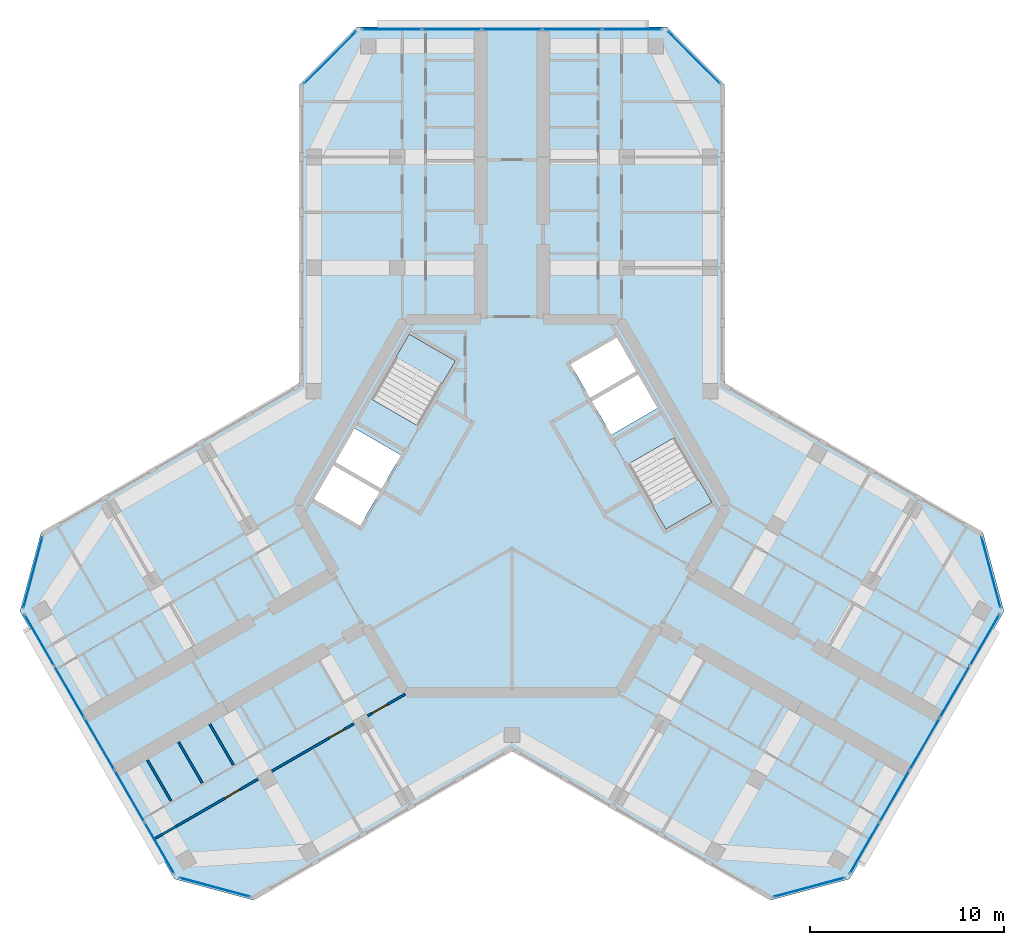
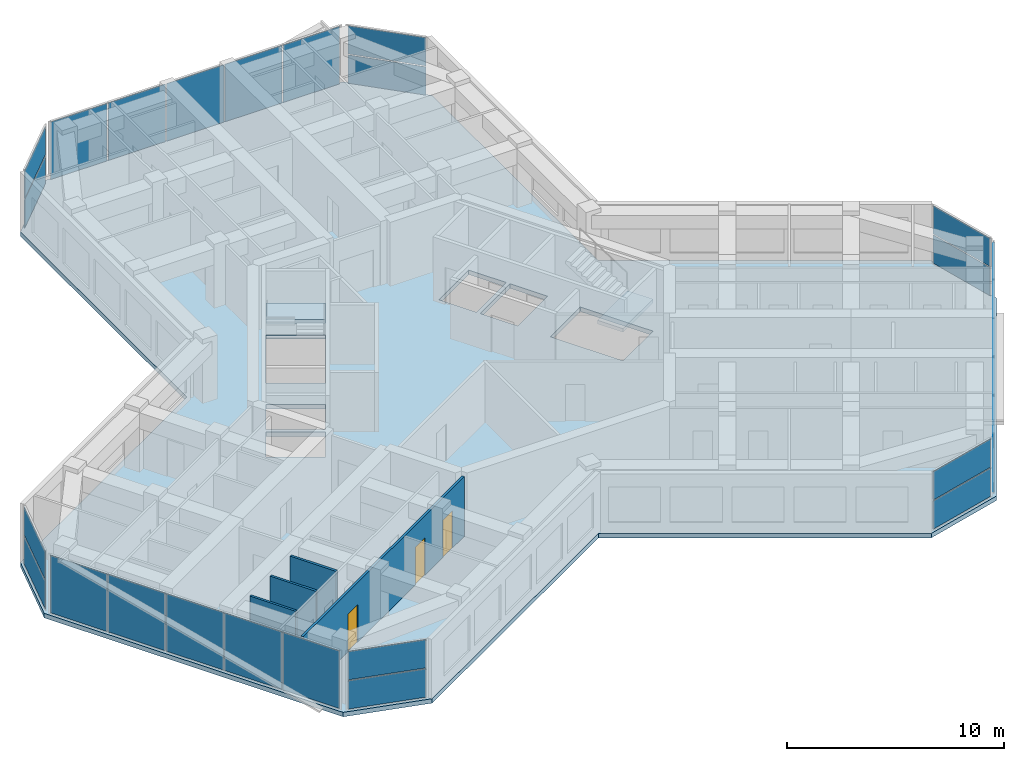
# One storey, part 6 of 14: 27 plates, 4 walls, 3 doors, 3 slabs, 3 openings, 11 elements without a shape of their own.
"""IFC4 building model written with IfcOpenShell, lengths in metres."""

from ifc_helpers import new_model, si_unit, direction, frame, frame_2d, origin, origin_2d, place, context, subcontext, project, spatial, polyline, rectangle, outline, extrude, material, layer, layer_set, type_object, element, fill, aggregate, save


model = new_model("IFC4")

# Units and contexts
model_context = context("Model", 3, precision=1e-05, world=origin(), true_north=direction((0.0, 1.0)))
body_context = subcontext(model_context, "Body", "Model", "MODEL_VIEW")
ifc_project = project(units=[si_unit("LENGTHUNIT", "METRE"), si_unit("AREAUNIT", "SQUARE_METRE"), si_unit("VOLUMEUNIT", "CUBIC_METRE"), si_unit("PLANEANGLEUNIT", "RADIAN"), si_unit("MASSUNIT", "GRAM", prefix="KILO")], contexts=[model_context])

# Site, building, storey
site_placement = place(None, origin())
site = spatial("IfcSite", under=ifc_project, at=site_placement, CompositionType="ELEMENT")
building_placement = place(site_placement, origin())
building = spatial("IfcBuilding", under=site, at=building_placement, Name="Kosmar Iwan School Tower", CompositionType="ELEMENT")
storey_placement = place(building_placement, frame((0.0, 0.0, 281.800048828125)))
storey = spatial("IfcBuildingStorey", under=building, at=storey_placement, Name="L71", CompositionType="ELEMENT", Elevation=281.800048828125)

# Curtain wall, plates
ifc_material_1 = material(Name="Dark glass in black aluminium frame", Category="aluminium")
curtain_wall_type_1 = type_object("IfcCurtainWallType", Name="Chamfer curtain wall dark glass", PredefinedType="USERDEFINED", material=ifc_material_1)
curtain_wall_1_placement = place(storey_placement, origin())
curtain_wall_1 = element("IfcCurtainWall", 1, at=curtain_wall_1_placement, inside=storey, type_object=curtain_wall_type_1, Name="Curtain wall L71-F02", ObjectType="FACETED CURTAIN WALL", PredefinedType="USERDEFINED")
ifc_material_2 = material(Name="Dark glass", Category="glass")
ifc_layer_1 = layer(ifc_material_2, 0.028076171875)
ifc_layer_set_1 = layer_set([ifc_layer_1], Name="Dark glass panel 28")
plate_type = type_object("IfcPlateType", Name="Dark glass panel 28", PredefinedType="CURTAIN_PANEL", material=ifc_layer_set_1)
plate_1_placement = place(storey_placement, frame((15.291015625, -19.63818359375, 0.06005859375), z_axis=(0.0, 0.0, 1.0), x_axis=(0.965925875495, 0.258818861462, 0.0)))
plate_1 = element("IfcPlate", 2, at=plate_1_placement, type_object=plate_type, Name="CW2 panel 1.1", PredefinedType="CURTAIN_PANEL", context=body_context, shape_type="SweptSolid", body=[
    extrude(rectangle(XDim=3.718994140625, YDim=0.028076171875, at=origin_2d()), origin(), (0.0, 0.0, 1.0), 1.5849609375),
])
plate_2_placement = place(storey_placement, frame((15.291015625, -19.63818359375, 1.705078125), z_axis=(0.0, 0.0, 1.0), x_axis=(0.965925875495, 0.258818861462, 0.0)))
plate_2 = element("IfcPlate", 3, at=plate_2_placement, type_object=plate_type, Name="CW2 panel 1.2", PredefinedType="CURTAIN_PANEL", context=body_context, shape_type="SweptSolid", body=[
    extrude(rectangle(XDim=3.718994140625, YDim=0.028076171875, at=origin_2d()), origin(), (0.0, 0.0, 1.0), 1.5849609375),
])
aggregate(curtain_wall_1, [plate_1, plate_2])

ifc_material_3 = material(Name="Dark glass in black aluminium frame", Category="aluminium")
curtain_wall_type_2 = type_object("IfcCurtainWallType", Name="Tower curtain wall dark glass", PredefinedType="USERDEFINED", material=ifc_material_3)
curtain_wall_2_placement = place(storey_placement, origin())
curtain_wall_2 = element("IfcCurtainWall", 4, at=curtain_wall_2_placement, inside=storey, type_object=curtain_wall_type_2, Name="Curtain wall L71-F03", ObjectType="UNITISED CURTAIN WALL", PredefinedType="USERDEFINED")
plate_3_placement = place(storey_placement, frame((18.1474609375, -17.61767578125, 0.06005859375), z_axis=(0.0, 0.0, 1.0), x_axis=(0.499999997325, 0.866025405329, 0.0)))
plate_3 = element("IfcPlate", 5, at=plate_3_placement, type_object=plate_type, Name="CW1 panel 1.1", PredefinedType="CURTAIN_PANEL", context=body_context, shape_type="SweptSolid", body=[
    extrude(rectangle(XDim=3.00927734375, YDim=0.028076171875, at=origin_2d()), origin(), (0.0, 0.0, 1.0), 3.22998046875),
])
plate_4_placement = place(storey_placement, frame((19.689697265625, -14.946533203125, 0.06005859375), z_axis=(0.0, 0.0, 1.0), x_axis=(0.499999997325, 0.866025405329, 0.0)))
plate_4 = element("IfcPlate", 6, at=plate_4_placement, type_object=plate_type, Name="CW1 panel 2.1", PredefinedType="CURTAIN_PANEL", context=body_context, shape_type="SweptSolid", body=[
    extrude(rectangle(XDim=3.039306640625, YDim=0.028076171875, at=origin_2d()), origin(), (0.0, 0.0, 1.0), 3.22998046875),
])
plate_5_placement = place(storey_placement, frame((21.2392578125, -12.262451171875, 0.06005859375), z_axis=(0.0, 0.0, 1.0), x_axis=(0.499999997325, 0.866025405329, 0.0)))
plate_5 = element("IfcPlate", 7, at=plate_5_placement, type_object=plate_type, Name="CW1 panel 3.1", PredefinedType="CURTAIN_PANEL", context=body_context, shape_type="SweptSolid", body=[
    extrude(rectangle(XDim=3.039306640625, YDim=0.028076171875, at=origin_2d()), origin(), (0.0, 0.0, 1.0), 3.22998046875),
])
plate_6_placement = place(storey_placement, frame((22.788818359375, -9.578369140625, 0.06005859375), z_axis=(0.0, 0.0, 1.0), x_axis=(0.499999997325, 0.866025405329, 0.0)))
plate_6 = element("IfcPlate", 8, at=plate_6_placement, type_object=plate_type, Name="CW1 panel 4.1", PredefinedType="CURTAIN_PANEL", context=body_context, shape_type="SweptSolid", body=[
    extrude(rectangle(XDim=3.039306640625, YDim=0.028076171875, at=origin_2d()), origin(), (0.0, 0.0, 1.0), 3.22998046875),
])
plate_7_placement = place(storey_placement, frame((24.3310546875, -6.907470703125, 0.06005859375), z_axis=(0.0, 0.0, 1.0), x_axis=(0.499999997325, 0.866025405329, 0.0)))
plate_7 = element("IfcPlate", 9, at=plate_7_placement, type_object=plate_type, Name="CW1 panel 5.1", PredefinedType="CURTAIN_PANEL", context=body_context, shape_type="SweptSolid", body=[
    extrude(rectangle(XDim=3.00927734375, YDim=0.028076171875, at=origin_2d()), origin(), (0.0, 0.0, 1.0), 3.22998046875),
])
aggregate(curtain_wall_2, [plate_3, plate_4, plate_5, plate_6, plate_7])

curtain_wall_3_placement = place(storey_placement, origin())
curtain_wall_3 = element("IfcCurtainWall", 10, at=curtain_wall_3_placement, inside=storey, type_object=curtain_wall_type_1, Name="Curtain wall L71-F04", ObjectType="FACETED CURTAIN WALL", PredefinedType="USERDEFINED")
plate_8_placement = place(storey_placement, frame((24.65283203125, -3.42333984375, 0.06005859375), z_axis=(0.0, 0.0, 1.0), x_axis=(-0.258818861462, 0.965925875495, 0.0)))
plate_8 = element("IfcPlate", 11, at=plate_8_placement, type_object=plate_type, Name="CW2 panel 1.1", PredefinedType="CURTAIN_PANEL", context=body_context, shape_type="SweptSolid", body=[
    extrude(rectangle(XDim=3.718994140625, YDim=0.028076171875, at=origin_2d()), origin(), (0.0, 0.0, 1.0), 1.5849609375),
])
plate_9_placement = place(storey_placement, frame((24.65283203125, -3.42333984375, 1.705078125), z_axis=(0.0, 0.0, 1.0), x_axis=(-0.258818861462, 0.965925875495, 0.0)))
plate_9 = element("IfcPlate", 12, at=plate_9_placement, type_object=plate_type, Name="CW2 panel 1.2", PredefinedType="CURTAIN_PANEL", context=body_context, shape_type="SweptSolid", body=[
    extrude(rectangle(XDim=3.718994140625, YDim=0.028076171875, at=origin_2d()), origin(), (0.0, 0.0, 1.0), 1.5849609375),
])
aggregate(curtain_wall_3, [plate_8, plate_9])

curtain_wall_4_placement = place(storey_placement, origin())
curtain_wall_4 = element("IfcCurtainWall", 13, at=curtain_wall_4_placement, inside=storey, type_object=curtain_wall_type_1, Name="Curtain wall L71-F07", ObjectType="FACETED CURTAIN WALL", PredefinedType="USERDEFINED")
plate_10_placement = place(storey_placement, frame((9.361572265625, 23.0615234375, 0.06005859375), z_axis=(0.0, 0.0, 1.0), x_axis=(-0.707106781187, 0.707106781187, 0.0)))
plate_10 = element("IfcPlate", 14, at=plate_10_placement, type_object=plate_type, Name="CW2 panel 1.1", PredefinedType="CURTAIN_PANEL", context=body_context, shape_type="SweptSolid", body=[
    extrude(rectangle(XDim=3.718994140625, YDim=0.028076171875, at=origin_2d()), origin(), (0.0, 0.0, 1.0), 1.5849609375),
])
plate_11_placement = place(storey_placement, frame((9.361572265625, 23.0615234375, 1.705078125), z_axis=(0.0, 0.0, 1.0), x_axis=(-0.707106781187, 0.707106781187, 0.0)))
plate_11 = element("IfcPlate", 15, at=plate_11_placement, type_object=plate_type, Name="CW2 panel 1.2", PredefinedType="CURTAIN_PANEL", context=body_context, shape_type="SweptSolid", body=[
    extrude(rectangle(XDim=3.718994140625, YDim=0.028076171875, at=origin_2d()), origin(), (0.0, 0.0, 1.0), 1.5849609375),
])
aggregate(curtain_wall_4, [plate_10, plate_11])

curtain_wall_5_placement = place(storey_placement, origin())
curtain_wall_5 = element("IfcCurtainWall", 16, at=curtain_wall_5_placement, inside=storey, type_object=curtain_wall_type_2, Name="Curtain wall L71-F08", ObjectType="UNITISED CURTAIN WALL", PredefinedType="USERDEFINED")
plate_12_placement = place(storey_placement, frame((6.18359375, 24.52490234375, 0.06005859375), z_axis=(0.0, 0.0, 1.0), x_axis=(-1.0, 0.0, 0.0)))
plate_12 = element("IfcPlate", 17, at=plate_12_placement, type_object=plate_type, Name="CW1 panel 1.1", PredefinedType="CURTAIN_PANEL", context=body_context, shape_type="SweptSolid", body=[
    extrude(rectangle(XDim=3.00927734375, YDim=0.028076171875, at=origin_2d()), origin(), (0.0, 0.0, 1.0), 3.22998046875),
])
plate_13_placement = place(storey_placement, frame((3.099365234375, 24.52490234375, 0.06005859375), z_axis=(0.0, 0.0, 1.0), x_axis=(-1.0, 0.0, 0.0)))
plate_13 = element("IfcPlate", 18, at=plate_13_placement, type_object=plate_type, Name="CW1 panel 2.1", PredefinedType="CURTAIN_PANEL", context=body_context, shape_type="SweptSolid", body=[
    extrude(rectangle(XDim=3.039306640625, YDim=0.028076171875, at=origin_2d()), origin(), (0.0, 0.0, 1.0), 3.22998046875),
])
plate_14_placement = place(storey_placement, frame((0.0, 24.52490234375, 0.06005859375), z_axis=(0.0, 0.0, 1.0), x_axis=(-1.0, 0.0, 0.0)))
plate_14 = element("IfcPlate", 19, at=plate_14_placement, type_object=plate_type, Name="CW1 panel 3.1", PredefinedType="CURTAIN_PANEL", context=body_context, shape_type="SweptSolid", body=[
    extrude(rectangle(XDim=3.039306640625, YDim=0.028076171875, at=origin_2d()), origin(), (0.0, 0.0, 1.0), 3.22998046875),
])
plate_15_placement = place(storey_placement, frame((-3.099365234375, 24.52490234375, 0.06005859375), z_axis=(0.0, 0.0, 1.0), x_axis=(-1.0, 0.0, 0.0)))
plate_15 = element("IfcPlate", 20, at=plate_15_placement, type_object=plate_type, Name="CW1 panel 4.1", PredefinedType="CURTAIN_PANEL", context=body_context, shape_type="SweptSolid", body=[
    extrude(rectangle(XDim=3.039306640625, YDim=0.028076171875, at=origin_2d()), origin(), (0.0, 0.0, 1.0), 3.22998046875),
])
plate_16_placement = place(storey_placement, frame((-6.18359375, 24.52490234375, 0.06005859375), z_axis=(0.0, 0.0, 1.0), x_axis=(-1.0, 0.0, 0.0)))
plate_16 = element("IfcPlate", 21, at=plate_16_placement, type_object=plate_type, Name="CW1 panel 5.1", PredefinedType="CURTAIN_PANEL", context=body_context, shape_type="SweptSolid", body=[
    extrude(rectangle(XDim=3.00927734375, YDim=0.028076171875, at=origin_2d()), origin(), (0.0, 0.0, 1.0), 3.22998046875),
])
aggregate(curtain_wall_5, [plate_12, plate_13, plate_14, plate_15, plate_16])

curtain_wall_6_placement = place(storey_placement, origin())
curtain_wall_6 = element("IfcCurtainWall", 22, at=curtain_wall_6_placement, inside=storey, type_object=curtain_wall_type_1, Name="Curtain wall L71-F09", ObjectType="FACETED CURTAIN WALL", PredefinedType="USERDEFINED")
plate_17_placement = place(storey_placement, frame((-9.361572265625, 23.0615234375, 0.06005859375), z_axis=(0.0, 0.0, 1.0), x_axis=(-0.707106781187, -0.707106781187, 0.0)))
plate_17 = element("IfcPlate", 23, at=plate_17_placement, type_object=plate_type, Name="CW2 panel 1.1", PredefinedType="CURTAIN_PANEL", context=body_context, shape_type="SweptSolid", body=[
    extrude(rectangle(XDim=3.718994140625, YDim=0.028076171875, at=origin_2d()), origin(), (0.0, 0.0, 1.0), 1.5849609375),
])
plate_18_placement = place(storey_placement, frame((-9.361572265625, 23.0615234375, 1.705078125), z_axis=(0.0, 0.0, 1.0), x_axis=(-0.707106781187, -0.707106781187, 0.0)))
plate_18 = element("IfcPlate", 24, at=plate_18_placement, type_object=plate_type, Name="CW2 panel 1.2", PredefinedType="CURTAIN_PANEL", context=body_context, shape_type="SweptSolid", body=[
    extrude(rectangle(XDim=3.718994140625, YDim=0.028076171875, at=origin_2d()), origin(), (0.0, 0.0, 1.0), 1.5849609375),
])
aggregate(curtain_wall_6, [plate_17, plate_18])

curtain_wall_7_placement = place(storey_placement, origin())
curtain_wall_7 = element("IfcCurtainWall", 25, at=curtain_wall_7_placement, inside=storey, type_object=curtain_wall_type_1, Name="Curtain wall L71-F12", ObjectType="FACETED CURTAIN WALL", PredefinedType="USERDEFINED")
plate_19_placement = place(storey_placement, frame((-24.65283203125, -3.42333984375, 0.06005859375), z_axis=(0.0, 0.0, 1.0), x_axis=(-0.258818861462, -0.965925875495, 0.0)))
plate_19 = element("IfcPlate", 26, at=plate_19_placement, type_object=plate_type, Name="CW2 panel 1.1", PredefinedType="CURTAIN_PANEL", context=body_context, shape_type="SweptSolid", body=[
    extrude(rectangle(XDim=3.718994140625, YDim=0.028076171875, at=origin_2d()), origin(), (0.0, 0.0, 1.0), 1.5849609375),
])
plate_20_placement = place(storey_placement, frame((-24.65283203125, -3.42333984375, 1.705078125), z_axis=(0.0, 0.0, 1.0), x_axis=(-0.258818861462, -0.965925875495, 0.0)))
plate_20 = element("IfcPlate", 27, at=plate_20_placement, type_object=plate_type, Name="CW2 panel 1.2", PredefinedType="CURTAIN_PANEL", context=body_context, shape_type="SweptSolid", body=[
    extrude(rectangle(XDim=3.718994140625, YDim=0.028076171875, at=origin_2d()), origin(), (0.0, 0.0, 1.0), 1.5849609375),
])
aggregate(curtain_wall_7, [plate_19, plate_20])

curtain_wall_8_placement = place(storey_placement, origin())
curtain_wall_8 = element("IfcCurtainWall", 28, at=curtain_wall_8_placement, inside=storey, type_object=curtain_wall_type_2, Name="Curtain wall L71-F13", ObjectType="UNITISED CURTAIN WALL", PredefinedType="USERDEFINED")
plate_21_placement = place(storey_placement, frame((-24.3310546875, -6.907470703125, 0.06005859375), z_axis=(0.0, 0.0, 1.0), x_axis=(0.499999997325, -0.866025405329, 0.0)))
plate_21 = element("IfcPlate", 29, at=plate_21_placement, type_object=plate_type, Name="CW1 panel 1.1", PredefinedType="CURTAIN_PANEL", context=body_context, shape_type="SweptSolid", body=[
    extrude(rectangle(XDim=3.00927734375, YDim=0.028076171875, at=origin_2d()), origin(), (0.0, 0.0, 1.0), 3.22998046875),
])
plate_22_placement = place(storey_placement, frame((-22.788818359375, -9.578369140625, 0.06005859375), z_axis=(0.0, 0.0, 1.0), x_axis=(0.499999997325, -0.866025405329, 0.0)))
plate_22 = element("IfcPlate", 30, at=plate_22_placement, type_object=plate_type, Name="CW1 panel 2.1", PredefinedType="CURTAIN_PANEL", context=body_context, shape_type="SweptSolid", body=[
    extrude(rectangle(XDim=3.039306640625, YDim=0.028076171875, at=origin_2d()), origin(), (0.0, 0.0, 1.0), 3.22998046875),
])
plate_23_placement = place(storey_placement, frame((-21.2392578125, -12.262451171875, 0.06005859375), z_axis=(0.0, 0.0, 1.0), x_axis=(0.499999997325, -0.866025405329, 0.0)))
plate_23 = element("IfcPlate", 31, at=plate_23_placement, type_object=plate_type, Name="CW1 panel 3.1", PredefinedType="CURTAIN_PANEL", context=body_context, shape_type="SweptSolid", body=[
    extrude(rectangle(XDim=3.039306640625, YDim=0.028076171875, at=origin_2d()), origin(), (0.0, 0.0, 1.0), 3.22998046875),
])
plate_24_placement = place(storey_placement, frame((-19.689697265625, -14.946533203125, 0.06005859375), z_axis=(0.0, 0.0, 1.0), x_axis=(0.499999997325, -0.866025405329, 0.0)))
plate_24 = element("IfcPlate", 32, at=plate_24_placement, type_object=plate_type, Name="CW1 panel 4.1", PredefinedType="CURTAIN_PANEL", context=body_context, shape_type="SweptSolid", body=[
    extrude(rectangle(XDim=3.039306640625, YDim=0.028076171875, at=origin_2d()), origin(), (0.0, 0.0, 1.0), 3.22998046875),
])
plate_25_placement = place(storey_placement, frame((-18.1474609375, -17.61767578125, 0.06005859375), z_axis=(0.0, 0.0, 1.0), x_axis=(0.499999997325, -0.866025405329, 0.0)))
plate_25 = element("IfcPlate", 33, at=plate_25_placement, type_object=plate_type, Name="CW1 panel 5.1", PredefinedType="CURTAIN_PANEL", context=body_context, shape_type="SweptSolid", body=[
    extrude(rectangle(XDim=3.00927734375, YDim=0.028076171875, at=origin_2d()), origin(), (0.0, 0.0, 1.0), 3.22998046875),
])
aggregate(curtain_wall_8, [plate_21, plate_22, plate_23, plate_24, plate_25])

curtain_wall_9_placement = place(storey_placement, origin())
curtain_wall_9 = element("IfcCurtainWall", 34, at=curtain_wall_9_placement, inside=storey, type_object=curtain_wall_type_1, Name="Curtain wall L71-F14", ObjectType="FACETED CURTAIN WALL", PredefinedType="USERDEFINED")
plate_26_placement = place(storey_placement, frame((-15.291015625, -19.63818359375, 0.06005859375), z_axis=(0.0, 0.0, 1.0), x_axis=(0.965925875495, -0.258818861462, 0.0)))
plate_26 = element("IfcPlate", 35, at=plate_26_placement, type_object=plate_type, Name="CW2 panel 1.1", PredefinedType="CURTAIN_PANEL", context=body_context, shape_type="SweptSolid", body=[
    extrude(rectangle(XDim=3.718994140625, YDim=0.028076171875, at=origin_2d()), origin(), (0.0, 0.0, 1.0), 1.5849609375),
])
plate_27_placement = place(storey_placement, frame((-15.291015625, -19.63818359375, 1.705078125), z_axis=(0.0, 0.0, 1.0), x_axis=(0.965925875495, -0.258818861462, 0.0)))
plate_27 = element("IfcPlate", 36, at=plate_27_placement, type_object=plate_type, Name="CW2 panel 1.2", PredefinedType="CURTAIN_PANEL", context=body_context, shape_type="SweptSolid", body=[
    extrude(rectangle(XDim=3.718994140625, YDim=0.028076171875, at=origin_2d()), origin(), (0.0, 0.0, 1.0), 1.5849609375),
])
aggregate(curtain_wall_9, [plate_26, plate_27])

# Slab
ifc_material_4 = material(Name="Concrete C35/45", Category="concrete")
ifc_layer_2 = layer(ifc_material_4, 0.25)
ifc_layer_set_2 = layer_set([ifc_layer_2], Name="Floor slab 250")
slab_type_1 = type_object("IfcSlabType", Name="Floor slab 250", PredefinedType="FLOOR", material=ifc_layer_set_2)
slab_1_placement = place(storey_placement, frame((0.0, 0.0, -0.25)))
element("IfcSlab", 37, at=slab_1_placement, inside=storey, type_object=slab_type_1, Name="L71 floor slab", PredefinedType="FLOOR", context=body_context, shape_type="SweptSolid", body=[
    extrude(outline(polyline([(-13.2744140625, -20.307861328125), (0.0, -12.64404296875), (13.2744140625, -20.307861328125), (17.37255859375, -19.2099609375), (25.322509765625, -5.440185546875), (24.224365234375, -1.342041015625), (10.949951171875, 6.322021484375), (10.949951171875, 21.64990234375), (7.949951171875, 24.64990234375), (-7.949951171875, 24.64990234375), (-10.949951171875, 21.64990234375), (-10.949951171875, 6.322021484375), (-24.224365234375, -1.342041015625), (-25.322509765625, -5.440185546875), (-17.37255859375, -19.2099609375), (-13.2744140625, -20.307861328125)]), holes=[polyline([(7.91259765625, -1.205078125), (10.294189453125, 0.169921875), (8.3642578125, 3.5126953125), (5.982666015625, 2.1376953125), (7.91259765625, -1.205078125)]), polyline([(-2.91259765625, 7.455078125), (-5.294189453125, 8.830078125), (-7.22412109375, 5.4873046875), (-4.8427734375, 4.1123046875), (-2.91259765625, 7.455078125)]), polyline([(-5.712646484375, 2.60546875), (-8.09423828125, 3.98046875), (-9.09423828125, 2.248291015625), (-6.712646484375, 0.873291015625), (-5.712646484375, 2.60546875)]), polyline([(-6.812744140625, 0.7001953125), (-9.1943359375, 2.0751953125), (-10.1943359375, 0.343017578125), (-7.812744140625, -1.031982421875), (-6.812744140625, 0.7001953125)]), polyline([(5.112548828125, 3.64453125), (7.494140625, 5.01953125), (6.494140625, 6.751708984375), (4.112548828125, 5.376708984375), (5.112548828125, 3.64453125)]), polyline([(4.0126953125, 5.5498046875), (6.394287109375, 6.9248046875), (5.394287109375, 8.656982421875), (3.0126953125, 7.281982421875), (4.0126953125, 5.5498046875)])]), origin(), (0.0, 0.0, 1.0), 0.25),
])

# Stair, slab
ifc_material_5 = material(Name="Concrete C35/45", Category="concrete")
stair_type = type_object("IfcStairType", Name="Core stair 2750", PredefinedType="HALF_TURN_STAIR", material=ifc_material_5)
stair_1_placement = place(storey_placement, origin())
stair_1 = element("IfcStair", 38, at=stair_1_placement, inside=storey, type_object=stair_type, Name="Stair ST2 L71", PredefinedType="HALF_TURN_STAIR")
ifc_material_6 = material(Name="Concrete C35/45", Category="concrete")
ifc_layer_3 = layer(ifc_material_6, 0.199951171875)
ifc_layer_set_3 = layer_set([ifc_layer_3], Name="Stair landing 200")
slab_type_2 = type_object("IfcSlabType", Name="Stair landing 200", PredefinedType="LANDING", material=ifc_layer_set_3)
slab_2_placement = place(storey_placement, frame((0.0, 0.0, 1.599853515625)))
slab_2 = element("IfcSlab", 39, at=slab_2_placement, type_object=slab_type_2, Name="ST2 landing 1", PredefinedType="LANDING", context=body_context, shape_type="SweptSolid", body=[
    extrude(outline(polyline([(-2.91259765625, 7.455078125), (-5.294189453125, 8.830078125), (-5.97412109375, 7.65234375), (-3.5927734375, 6.27734375), (-2.91259765625, 7.455078125)])), origin(), (0.0, 0.0, 1.0), 0.2001953125),
])
aggregate(stair_1, [slab_2])

stair_2_placement = place(storey_placement, origin())
stair_2 = element("IfcStair", 40, at=stair_2_placement, inside=storey, type_object=stair_type, Name="Stair ST1 L71", PredefinedType="HALF_TURN_STAIR")
slab_3_placement = place(storey_placement, frame((0.0, 0.0, 1.599853515625)))
slab_3 = element("IfcSlab", 41, at=slab_3_placement, type_object=slab_type_2, Name="ST1 landing 1", PredefinedType="LANDING", context=body_context, shape_type="SweptSolid", body=[
    extrude(outline(polyline([(7.91259765625, -1.205078125), (10.294189453125, 0.169921875), (9.6142578125, 1.34765625), (7.232666015625, -0.02734375), (7.91259765625, -1.205078125)])), origin(), (0.0, 0.0, 1.0), 0.2001953125),
])
aggregate(stair_2, [slab_3])

# Wall, openings, doors
ifc_material_7 = material(Name="Gypsum board on steel studs", Category="steel")
ifc_layer_4 = layer(ifc_material_7, 0.1201171875)
ifc_layer_set_4 = layer_set([ifc_layer_4], Name="Dwelling partition 120")
wall_type = type_object("IfcWallType", Name="Dwelling partition 120", PredefinedType="PARTITIONING", material=ifc_layer_set_4)
wall_1_placement = place(storey_placement, frame((-5.48876953125, -9.693115234375, 0.0), z_axis=(0.0, 0.0, 1.0), x_axis=(-0.866030301974, -0.499991515992, 0.0)))
wall_1 = element("IfcWall", 42, at=wall_1_placement, inside=storey, type_object=wall_type, Name="Partition L71-BL1-W2", PredefinedType="PARTITIONING", context=body_context, shape_type="SweptSolid", body=[
    extrude(rectangle(XDim=14.844970703125, YDim=0.1201171875, at=frame_2d((7.42236328125, 0.0))), origin(), (0.0, 0.0, 1.0), 3.349853515625),
])
opening_1_placement = place(wall_1_placement, frame((1.074951171875, 0.0, 0.0)))
opening_1 = element("IfcOpeningElement", 43, at=opening_1_placement, cuts=wall_1, Name="Opening D2", PredefinedType="OPENING", context=body_context, shape_type="SweptSolid", body=[
    extrude(rectangle(XDim=0.89990234375, YDim=2.10009765625, at=frame_2d((0.449951171875, 1.050048828125))), frame((0.0, 0.072021484375, 0.0), z_axis=(0.0, -1.0, 0.0), x_axis=(1.0, 0.0, 0.0)), (0.0, 0.0, 1.0), 0.14404296875),
])
opening_2_placement = place(wall_1_placement, frame((3.625, 0.0, 0.0)))
opening_2 = element("IfcOpeningElement", 44, at=opening_2_placement, cuts=wall_1, Name="Opening D2", PredefinedType="OPENING", context=body_context, shape_type="SweptSolid", body=[
    extrude(rectangle(XDim=0.89990234375, YDim=2.10009765625, at=frame_2d((0.449951171875, 1.050048828125))), frame((0.0, 0.072021484375, 0.0), z_axis=(0.0, -1.0, 0.0), x_axis=(1.0, 0.0, 0.0)), (0.0, 0.0, 1.0), 0.14404296875),
])
opening_3_placement = place(wall_1_placement, frame((9.824951171875, 0.0, 0.0)))
opening_3 = element("IfcOpeningElement", 45, at=opening_3_placement, cuts=wall_1, Name="Opening D2", PredefinedType="OPENING", context=body_context, shape_type="SweptSolid", body=[
    extrude(rectangle(XDim=0.89990234375, YDim=2.10009765625, at=frame_2d((0.449951171875, 1.050048828125))), frame((0.0, 0.072021484375, 0.0), z_axis=(0.0, -1.0, 0.0), x_axis=(1.0, 0.0, 0.0)), (0.0, 0.0, 1.0), 0.14404296875),
])
ifc_material_8 = material(Name="Timber door in timber frame", Category="wood")
door_type = type_object("IfcDoorType", Name="Internal door 900x2100", OperationType="SINGLE_SWING_LEFT", PredefinedType="DOOR", material=ifc_material_8)
door_1_placement = place(opening_1_placement, origin())
door_1 = element("IfcDoor", 46, at=door_1_placement, inside=storey, type_object=door_type, Name="Bedroom 1 door L71-BL1-F1", OperationType="SINGLE_SWING_LEFT", OverallHeight=2.10009765625, OverallWidth=0.89990234375, PredefinedType="DOOR", context=body_context, shape_type="SweptSolid", body=[
    extrude(rectangle(XDim=0.89990234375, YDim=2.10009765625, at=frame_2d((0.449951171875, 1.050048828125))), frame((0.0, 0.02490234375, 0.0), z_axis=(0.0, -1.0, 0.0), x_axis=(1.0, 0.0, 0.0)), (0.0, 0.0, 1.0), 0.050048828125),
])
fill(opening_1, door_1)
door_2_placement = place(opening_2_placement, origin())
door_2 = element("IfcDoor", 47, at=door_2_placement, inside=storey, type_object=door_type, Name="Study door L71-BL1-F2", OperationType="SINGLE_SWING_RIGHT", OverallHeight=2.10009765625, OverallWidth=0.89990234375, PredefinedType="DOOR", context=body_context, shape_type="SweptSolid", body=[
    extrude(rectangle(XDim=0.89990234375, YDim=2.10009765625, at=frame_2d((0.449951171875, 1.050048828125))), frame((0.0, 0.02490234375, 0.0), z_axis=(0.0, -1.0, 0.0), x_axis=(1.0, 0.0, 0.0)), (0.0, 0.0, 1.0), 0.050048828125),
])
fill(opening_2, door_2)
door_3_placement = place(opening_3_placement, origin())
door_3 = element("IfcDoor", 48, at=door_3_placement, inside=storey, type_object=door_type, Name="Living room and kitchen door L71-BL1-F3", OperationType="SINGLE_SWING_RIGHT", OverallHeight=2.10009765625, OverallWidth=0.89990234375, PredefinedType="DOOR", context=body_context, shape_type="SweptSolid", body=[
    extrude(rectangle(XDim=0.89990234375, YDim=2.10009765625, at=frame_2d((0.449951171875, 1.050048828125))), frame((0.0, 0.02490234375, 0.0), z_axis=(0.0, -1.0, 0.0), x_axis=(1.0, 0.0, 0.0)), (0.0, 0.0, 1.0), 0.050048828125),
])
fill(opening_3, door_3)

# Walls
wall_2_placement = place(storey_placement, frame((-15.55615234375, -11.23291015625, 0.0), z_axis=(0.0, 0.0, 1.0), x_axis=(0.499959183527, -0.866048967903, 0.0)))
element("IfcWall", 49, at=wall_2_placement, inside=storey, type_object=wall_type, Name="Partition L71-BL1-Y4", PredefinedType="PARTITIONING", context=body_context, shape_type="SweptSolid", body=[
    extrude(rectangle(XDim=2.440185546875, YDim=0.1201171875, at=frame_2d((1.22021484375, 0.0))), origin(), (0.0, 0.0, 1.0), 3.349853515625),
])
for number, where, z_axis, x_axis, name in (
    (50, (-17.16162109375, -12.159912109375, 0.0), (0.0, 0.0, 1.0), (0.500002508028, -0.866023955769, 0.0), "Partition L71-BL1-Y5"),
    (51, (-18.76708984375, -13.0869140625, 0.0), (0.0, 0.0, 1.0), (0.500002508028, -0.866023955769, 0.0), "Partition L71-BL1-Y6"),
):
    element("IfcWall", number, at=place(storey_placement, frame(where, z_axis=z_axis, x_axis=x_axis)), inside=storey, type_object=wall_type, Name=name, PredefinedType="PARTITIONING", context=body_context, shape_type="SweptSolid", body=[
        extrude(rectangle(XDim=2.43994140625, YDim=0.1201171875, at=frame_2d((1.219970703125, 0.0))), origin(), (0.0, 0.0, 1.0), 3.349853515625),
    ])

save(model, "model.ifc")
